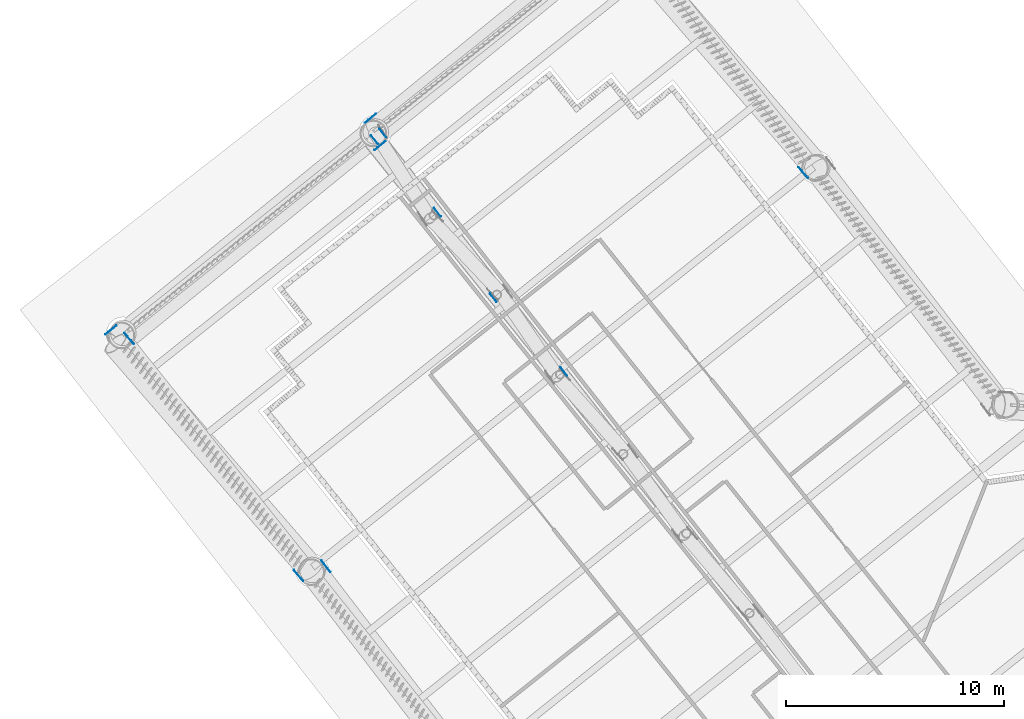
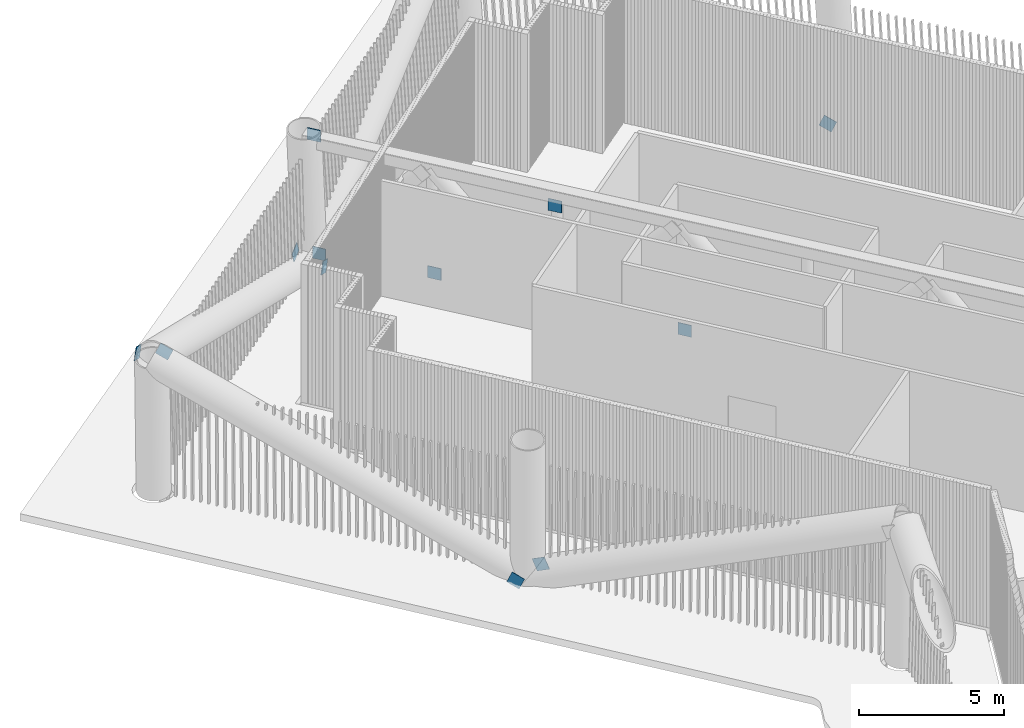
# One storey, part 27 of 48: 12 discrete accessories.
"""IFC4 building model written with IfcOpenShell, lengths in metres."""

from ifc_helpers import new_model, si_unit, direction, frame, origin, origin_2d, place, context, subcontext, project, spatial, rectangle, extrude, material, material_profile, profile_set, type_object, element, save


model = new_model("IFC4")

# Units and contexts
model_context = context("Model", 3, precision=1e-05, world=origin(), true_north=direction((0.0, 1.0)))
body_context = subcontext(model_context, "Body", "Model", "MODEL_VIEW")
ifc_project = project(units=[si_unit("LENGTHUNIT", "METRE"), si_unit("AREAUNIT", "SQUARE_METRE"), si_unit("VOLUMEUNIT", "CUBIC_METRE"), si_unit("PLANEANGLEUNIT", "RADIAN"), si_unit("MASSUNIT", "GRAM", prefix="KILO")], contexts=[model_context])

# Site, building, storey
site_placement = place(None, origin())
site = spatial("IfcSite", under=ifc_project, at=site_placement, CompositionType="ELEMENT")
building_placement = place(site_placement, origin())
building = spatial("IfcBuilding", under=site, at=building_placement, Name="Tarsis Ring Headquarters", CompositionType="ELEMENT")
storey_placement = place(building_placement, frame((0.0, 0.0, 34.0)))
storey = spatial("IfcBuildingStorey", under=building, at=storey_placement, Name="L06", CompositionType="ELEMENT", Elevation=34.0)

# Discrete accessories
ifc_material = material(Name="Structural steel S355", Category="steel")
ifc_material_profile = material_profile(ifc_material, rectangle(XDim=0.02490234375, YDim=0.5, at=origin_2d()), Name="PL 25x500")
ifc_profile_set = profile_set([ifc_material_profile], Name="Structural steel S355")
discrete_accessory_type_1 = type_object("IfcDiscreteAccessoryType", Name="Gusset plate Belt truss 25", PredefinedType="BRACKET", material=ifc_profile_set)
for number, where, z_axis, x_axis, name in (
    (1, (-13.171630859375, 39.225830078125, 0.0), (-0.601522273694, 0.695754253258, 0.392551873417), (-0.75647674265, -0.654020594347, 0.0), "Gusset plate GP4"),
    (2, (-33.334228515625, 41.746337890625, 0.0), (0.714241469739, 0.582426571018, 0.388121646236), (-0.631967685079, 0.774994738702, 0.0), "Gusset plate GP4"),
    (3, (-32.5478515625, 40.7822265625, 0.0), (-0.721710574584, -0.588892390358, 0.363785100179), (0.632209552831, -0.774797445343, 0.0), "Gusset plate GP4"),
):
    element("IfcDiscreteAccessory", number, at=place(storey_placement, frame(where, z_axis=z_axis, x_axis=x_axis)), inside=storey, type_object=discrete_accessory_type_1, Name=name, PredefinedType="BRACKET", context=body_context, shape_type="SweptSolid", body=[
        extrude(rectangle(XDim=0.02490234375, YDim=0.5, at=origin_2d()), origin(), (0.0, 0.0, 1.0), 0.5),
    ])
discrete_accessory_1_placement = place(storey_placement, frame((-45.2333984375, 32.045166015625, 6.0), z_axis=(0.721918111258, 0.588573290978, -0.36388971102), x_axis=(-0.631894701153, 0.775054247556, 0.0)))
element("IfcDiscreteAccessory", 4, at=discrete_accessory_1_placement, inside=storey, type_object=discrete_accessory_type_1, Name="Gusset plate GP4", PredefinedType="BRACKET", context=body_context, shape_type="SweptSolid", body=[
    extrude(rectangle(XDim=0.02490234375, YDim=0.5, at=origin_2d()), origin(), (0.0, 0.0, 1.0), 0.499755859375),
])
for number, where, z_axis, x_axis, name in (
    (5, (-36.30419921875, 20.758544921875, 0.0), (-0.600064823363, 0.692833184989, 0.399880464064), (-0.75589995998, -0.654687139405, 0.0), "Gusset plate GP4"),
    (6, (-44.3701171875, 31.970458984375, 6.0), (0.600064823363, -0.692833184989, -0.399880464064), (0.75589995998, 0.654687139405, 0.0), "Gusset plate GP4"),
    (7, (-35.3408203125, 21.544921875, 0.0), (0.560609364387, -0.729085175113, 0.392621889344), (0.792742406749, 0.609556786971, 0.0), "Gusset plate GP4"),
):
    element("IfcDiscreteAccessory", number, at=place(storey_placement, frame(where, z_axis=z_axis, x_axis=x_axis)), inside=storey, type_object=discrete_accessory_type_1, Name=name, PredefinedType="BRACKET", context=body_context, shape_type="SweptSolid", body=[
        extrude(rectangle(XDim=0.02490234375, YDim=0.5, at=origin_2d()), origin(), (0.0, 0.0, 1.0), 0.5),
    ])
discrete_accessory_type_2 = type_object("IfcDiscreteAccessoryType", Name="Gusset plate Outrigger chord 25", PredefinedType="BRACKET", material=ifc_profile_set)
discrete_accessory_2_placement = place(storey_placement, frame((-32.749267578125, 41.413818359375, 0.25390625), z_axis=(0.616505668037, -0.787350469155, 0.0), x_axis=(0.787350469155, 0.616505668037, 0.0)))
element("IfcDiscreteAccessory", 8, at=discrete_accessory_2_placement, inside=storey, type_object=discrete_accessory_type_2, Name="Gusset plate GP3", PredefinedType="BRACKET", context=body_context, shape_type="SweptSolid", body=[
    extrude(rectangle(XDim=0.02490234375, YDim=0.5, at=origin_2d()), origin(), (0.0, 0.0, 1.0), 0.500244140625),
])
for number, where, z_axis, x_axis, name in (
    (9, (-33.1337890625, 41.108154296875, 5.5859375), (0.626539462828, -0.779389698109, 0.0), (0.779389698109, 0.626539462828, 0.0), "Gusset plate GP3"),
    (10, (-24.299072265625, 30.285888671875, 0.508056640625), (0.0, 0.0, 1.0), (0.787480588609, 0.616339454005, 0.0), "Gusset plate GP3"),
    (11, (-27.53076171875, 33.6650390625, 5.33203125), (0.0, 0.0, -1.0), (-0.779282197654, -0.62667316555, 0.0), "Gusset plate GP3"),
    (12, (-30.086669921875, 37.580810546875, 0.508056640625), (0.0, 0.0, 1.0), (0.787480588609, 0.616339454005, 0.0), "Gusset plate GP3"),
):
    element("IfcDiscreteAccessory", number, at=place(storey_placement, frame(where, z_axis=z_axis, x_axis=x_axis)), inside=storey, type_object=discrete_accessory_type_2, Name=name, PredefinedType="BRACKET", context=body_context, shape_type="SweptSolid", body=[
        extrude(rectangle(XDim=0.02490234375, YDim=0.5, at=origin_2d()), origin(), (0.0, 0.0, 1.0), 0.5),
    ])

save(model, "model.ifc")
